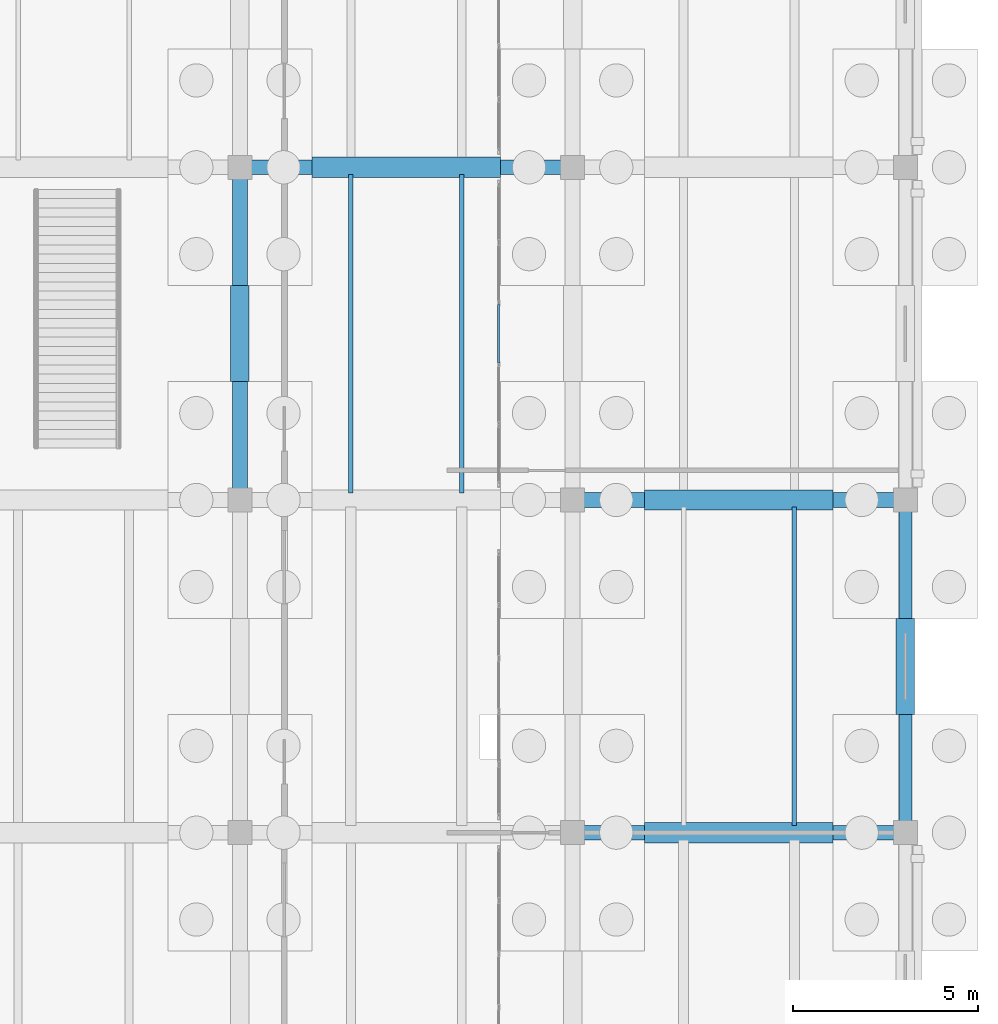
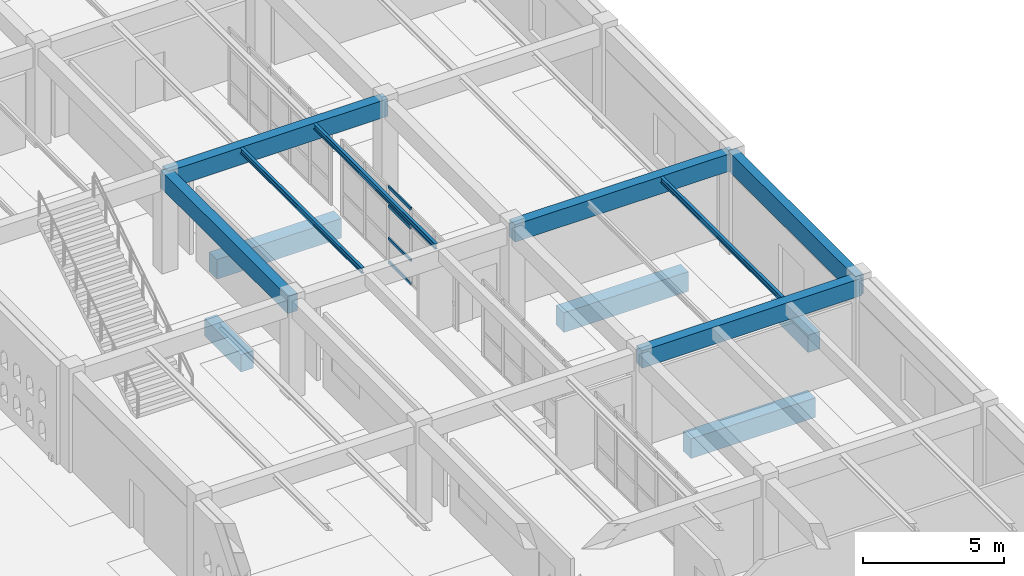
# One storey, part 118 of 186: 13 beams, 4 members, 1 element without a shape of its own.
"""IFC4 building model written with IfcOpenShell, lengths in metres."""

from ifc_helpers import new_model, si_unit, direction, frame, origin, origin_2d, place, context, subcontext, project, spatial, rectangle, hollow_rectangle, i_section, extrude, material, layer, layer_set, material_profile, profile_set, type_object, element, aggregate, save


model = new_model("IFC4")

# Units and contexts
model_context = context("Model", 3, precision=1e-05, world=origin(), true_north=direction((0.0, 1.0)))
body_context = subcontext(model_context, "Body", "Model", "MODEL_VIEW")
ifc_project = project(units=[si_unit("LENGTHUNIT", "METRE"), si_unit("AREAUNIT", "SQUARE_METRE"), si_unit("VOLUMEUNIT", "CUBIC_METRE"), si_unit("PLANEANGLEUNIT", "RADIAN"), si_unit("MASSUNIT", "GRAM", prefix="KILO")], contexts=[model_context])

# Site, building, storey
site_placement = place(None, origin())
site = spatial("IfcSite", under=ifc_project, at=site_placement, CompositionType="ELEMENT")
building_placement = place(site_placement, origin())
building = spatial("IfcBuilding", under=site, at=building_placement, Name="Ornek Quay Market", CompositionType="ELEMENT")
storey_placement = place(building_placement, origin())
storey = spatial("IfcBuildingStorey", under=building, at=storey_placement, Name="L00", CompositionType="ELEMENT", Elevation=0.0)

# Beams
ifc_material_1 = material(Name="Concrete C35/45", Category="concrete")
ifc_material_profile_1 = material_profile(ifc_material_1, rectangle(XDim=0.39990234375, YDim=0.75, at=origin_2d()), Name="RC 400x750", Category="concrete")
ifc_profile_set_1 = profile_set([ifc_material_profile_1], Name="Concrete C35/45")
beam_type_1 = type_object("IfcBeamType", Name="BM-CS-400x750", PredefinedType="BEAM", material=ifc_profile_set_1)
for number, where, z_axis, x_axis, name in (
    (1, (171.0, 38.0, 3.875), (1.0, 0.0, 0.0), (0.0, 1.0, 0.0), "Primary beam B-CS1-009"),
    (2, (171.0, 47.0, 3.875), (1.0, 0.0, 0.0), (0.0, 1.0, 0.0), "Primary beam B-CS1-012"),
    (3, (162.0, 56.0, 3.875), (1.0, 0.0, 0.0), (0.0, 1.0, 0.0), "Primary beam B-CS1-014"),
    (4, (162.0, 47.0, 3.875), (0.0, 1.0, 0.0), (-1.0, 0.0, 0.0), "Primary beam B-CS1-020"),
):
    element("IfcBeam", number, at=place(storey_placement, frame(where, z_axis=z_axis, x_axis=x_axis)), inside=storey, type_object=beam_type_1, Name=name, PredefinedType="BEAM", context=body_context, shape_type="SweptSolid", body=[
        extrude(rectangle(XDim=0.39990234375, YDim=0.75, at=origin_2d()), origin(), (0.0, 0.0, 1.0), 9.0),
    ])
ifc_material_profile_2 = material_profile(ifc_material_1, rectangle(XDim=0.5, YDim=0.75, at=origin_2d()), Name="RC 500x750", Category="concrete")
ifc_profile_set_2 = profile_set([ifc_material_profile_2], Name="Concrete C35/45")
beam_type_2 = type_object("IfcBeamType", Name="BM-GB-500x750", PredefinedType="BEAM", material=ifc_profile_set_2)
for number, where, z_axis, x_axis, name in (
    (5, (162.0, 50.199951171875, -0.574951171875), (0.0, 1.0, 0.0), (-1.0, 0.0, 0.0), "Ground tie beam GB-404"),
    (6, (180.0, 41.199951171875, -0.574951171875), (0.0, 1.0, 0.0), (-1.0, 0.0, 0.0), "Ground tie beam GB-420"),
):
    element("IfcBeam", number, at=place(storey_placement, frame(where, z_axis=z_axis, x_axis=x_axis)), inside=storey, type_object=beam_type_2, Name=name, PredefinedType="BEAM", context=body_context, shape_type="SweptSolid", body=[
        extrude(rectangle(XDim=0.5, YDim=0.75, at=origin_2d()), origin(), (0.0, 0.0, 1.0), 2.60009765625),
    ])
ifc_material_profile_3 = material_profile(ifc_material_1, rectangle(XDim=0.550048828125, YDim=0.85009765625, at=origin_2d()), Name="RC 550x850", Category="concrete")
ifc_profile_set_3 = profile_set([ifc_material_profile_3], Name="Concrete C35/45")
beam_type_3 = type_object("IfcBeamType", Name="BM-GB-550x850", PredefinedType="BEAM", material=ifc_profile_set_3)
for number, where, z_axis, x_axis, name in (
    (7, (172.949951171875, 38.0, -0.625), (1.0, 0.0, 0.0), (0.0, 1.0, 0.0), "Ground tie beam GB-320"),
    (8, (172.949951171875, 47.0, -0.625), (1.0, 0.0, 0.0), (0.0, 1.0, 0.0), "Ground tie beam GB-324"),
    (9, (163.949951171875, 56.0, -0.625), (1.0, 0.0, 0.0), (0.0, 1.0, 0.0), "Ground tie beam GB-327"),
):
    element("IfcBeam", number, at=place(storey_placement, frame(where, z_axis=z_axis, x_axis=x_axis)), inside=storey, type_object=beam_type_3, Name=name, PredefinedType="BEAM", context=body_context, shape_type="SweptSolid", body=[
        extrude(rectangle(XDim=0.550048828125, YDim=0.85009765625, at=origin_2d()), origin(), (0.0, 0.0, 1.0), 5.10009765625),
    ])
ifc_material_2 = material(Name="Concrete C40/50", Category="concrete")
ifc_material_profile_4 = material_profile(ifc_material_2, rectangle(XDim=0.35009765625, YDim=0.85009765625, at=origin_2d()), Name="RC 350x850", Category="concrete")
ifc_profile_set_4 = profile_set([ifc_material_profile_4], Name="Concrete C40/50")
beam_type_4 = type_object("IfcBeamType", Name="BM-SPN-350x850", PredefinedType="SPANDREL", material=ifc_profile_set_4)
beam_placement = place(storey_placement, frame((180.0, 38.0, 3.824951171875), z_axis=(0.0, 1.0, 0.0), x_axis=(-1.0, 0.0, 0.0)))
element("IfcBeam", 10, at=beam_placement, inside=storey, type_object=beam_type_4, Name="Primary beam B-SP1-128", PredefinedType="SPANDREL", context=body_context, shape_type="SweptSolid", body=[
    extrude(rectangle(XDim=0.35009765625, YDim=0.85009765625, at=origin_2d()), origin(), (0.0, 0.0, 1.0), 9.0),
])
ifc_material_3 = material(Name="Steel S355", Category="steel")
ifc_material_profile_5 = material_profile(ifc_material_3, i_section(OverallWidth=0.1201171875, OverallDepth=0.239990234375, WebThickness=0.006103515625, FlangeThickness=0.009765625, FilletRadius=0.014892578125, at=origin_2d()), Name="IPE 240", Category="steel")
ifc_profile_set_5 = profile_set([ifc_material_profile_5], Name="Steel S355")
beam_type_5 = type_object("IfcBeamType", Name="BM-STL-IPE240", PredefinedType="JOIST", material=ifc_profile_set_5)
for number, where, z_axis, x_axis, name in (
    (11, (165.0, 47.19189453125, 4.1298828125), (0.0, 1.0, 0.0), (-1.0, 0.0, 0.0), "Secondary joist SB-04-041"),
    (12, (168.0, 47.19189453125, 4.1298828125), (0.0, 1.0, 0.0), (-1.0, 0.0, 0.0), "Secondary joist SB-04-042"),
    (13, (177.0, 38.19189453125, 4.1298828125), (0.0, 1.0, 0.0), (-1.0, 0.0, 0.0), "Secondary joist SB-04-044"),
):
    element("IfcBeam", number, at=place(storey_placement, frame(where, z_axis=z_axis, x_axis=x_axis)), inside=storey, type_object=beam_type_5, Name=name, PredefinedType="JOIST", context=body_context, shape_type="SweptSolid", body=[
        extrude(i_section(OverallWidth=0.1201171875, OverallDepth=0.239990234375, WebThickness=0.006103515625, FlangeThickness=0.009765625, FilletRadius=0.014892578125, at=origin_2d()), origin(), (0.0, 0.0, 1.0), 8.6162109375),
    ])

# Curtain wall, members
ifc_material_4 = material(Name="Anodised bronze aluminium and triple low-e glass", Category="aluminium")
ifc_layer = layer(ifc_material_4, 0.139892578125, Name="Anodised bronze aluminium and triple low-e glass", Category="aluminium")
ifc_layer_set = layer_set([ifc_layer], Name="Anodised bronze aluminium and triple low-e glass")
curtain_wall_type = type_object("IfcCurtainWallType", Name="CW-GALLERY-INT", PredefinedType="USERDEFINED", material=ifc_layer_set)
curtain_wall_placement = place(storey_placement, origin())
curtain_wall = element("IfcCurtainWall", 14, at=curtain_wall_placement, inside=storey, type_object=curtain_wall_type, Name="Curtain wall CW-161", ObjectType="CURTAIN WALL", PredefinedType="USERDEFINED")
ifc_material_5 = material(Name="Anodised aluminium 6063-T6", Category="aluminium")
ifc_material_profile_6 = material_profile(ifc_material_5, hollow_rectangle(XDim=0.06005859375, YDim=0.1201171875, WallThickness=0.00390625, at=origin_2d()), Name="CW-TRN-60x120", Category="aluminium")
ifc_profile_set_6 = profile_set([ifc_material_profile_6], Name="Anodised aluminium 6063-T6")
member_type = type_object("IfcMemberType", Name="CW-TRN-60x120", PredefinedType="USERDEFINED", material=ifc_profile_set_6)
member_1_placement = place(storey_placement, frame((169.0, 50.7099609375, 0.030029296875), z_axis=(0.0, 1.0, 0.0), x_axis=(-1.0, 0.0, 0.0)))
member_1 = element("IfcMember", 15, at=member_1_placement, type_object=member_type, Name="CW-161 transom 3.1", ObjectType="TRANSOM", PredefinedType="USERDEFINED", context=body_context, shape_type="SweptSolid", body=[
    extrude(hollow_rectangle(XDim=0.06005859375, YDim=0.1201171875, WallThickness=0.00390625, at=origin_2d()), origin(), (0.0, 0.0, 1.0), 1.580078125),
])
member_2_placement = place(storey_placement, frame((169.0, 50.7099609375, 1.050048828125), z_axis=(0.0, 1.0, 0.0), x_axis=(-1.0, 0.0, 0.0)))
member_2 = element("IfcMember", 16, at=member_2_placement, type_object=member_type, Name="CW-161 transom 3.2", ObjectType="TRANSOM", PredefinedType="USERDEFINED", context=body_context, shape_type="SweptSolid", body=[
    extrude(hollow_rectangle(XDim=0.06005859375, YDim=0.1201171875, WallThickness=0.00390625, at=origin_2d()), origin(), (0.0, 0.0, 1.0), 1.580078125),
])
member_3_placement = place(storey_placement, frame((169.0, 50.7099609375, 2.449951171875), z_axis=(0.0, 1.0, 0.0), x_axis=(-1.0, 0.0, 0.0)))
member_3 = element("IfcMember", 17, at=member_3_placement, type_object=member_type, Name="CW-161 transom 3.3", ObjectType="TRANSOM", PredefinedType="USERDEFINED", context=body_context, shape_type="SweptSolid", body=[
    extrude(hollow_rectangle(XDim=0.06005859375, YDim=0.1201171875, WallThickness=0.00390625, at=origin_2d()), origin(), (0.0, 0.0, 1.0), 1.580078125),
])
member_4_placement = place(storey_placement, frame((169.0, 50.7099609375, 3.27001953125), z_axis=(0.0, 1.0, 0.0), x_axis=(-1.0, 0.0, 0.0)))
member_4 = element("IfcMember", 18, at=member_4_placement, type_object=member_type, Name="CW-161 transom 3.4", ObjectType="TRANSOM", PredefinedType="USERDEFINED", context=body_context, shape_type="SweptSolid", body=[
    extrude(hollow_rectangle(XDim=0.06005859375, YDim=0.1201171875, WallThickness=0.00390625, at=origin_2d()), origin(), (0.0, 0.0, 1.0), 1.580078125),
])
aggregate(curtain_wall, [member_1, member_2, member_3, member_4])

save(model, "model.ifc")
